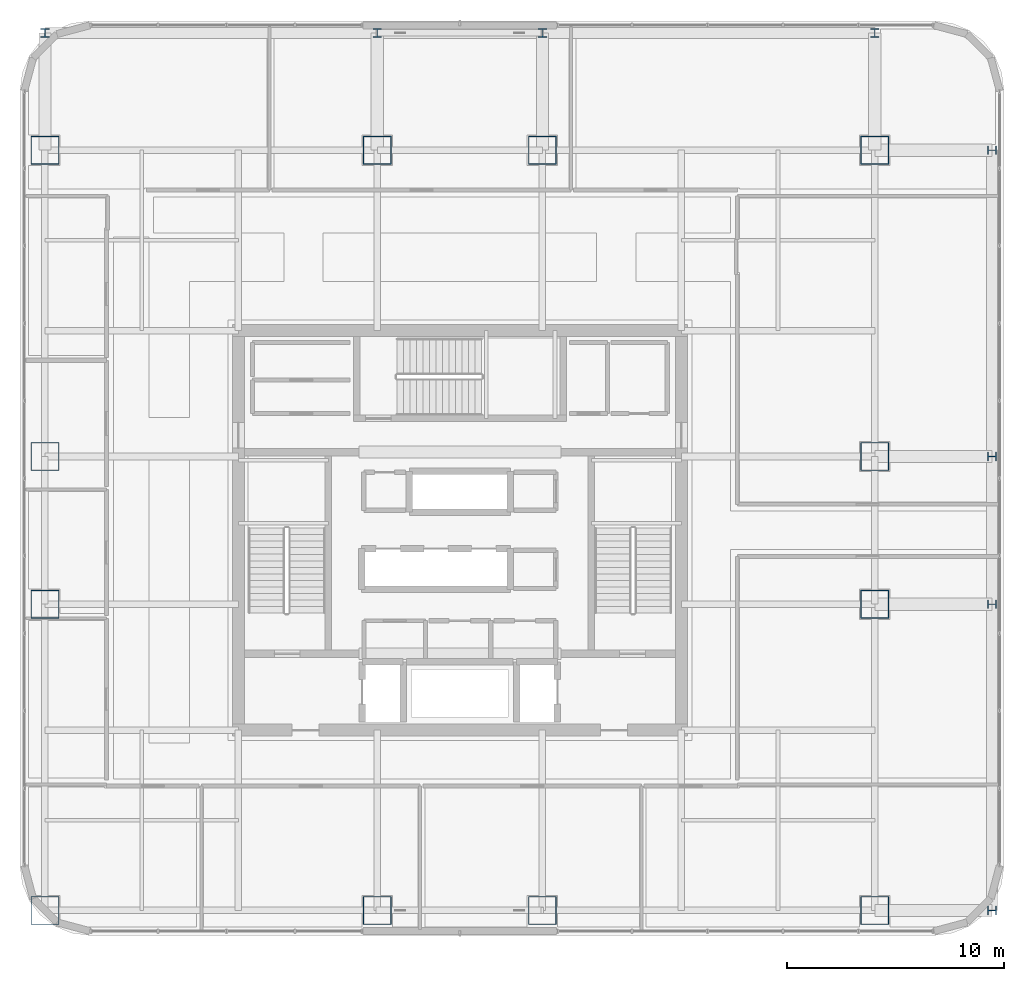
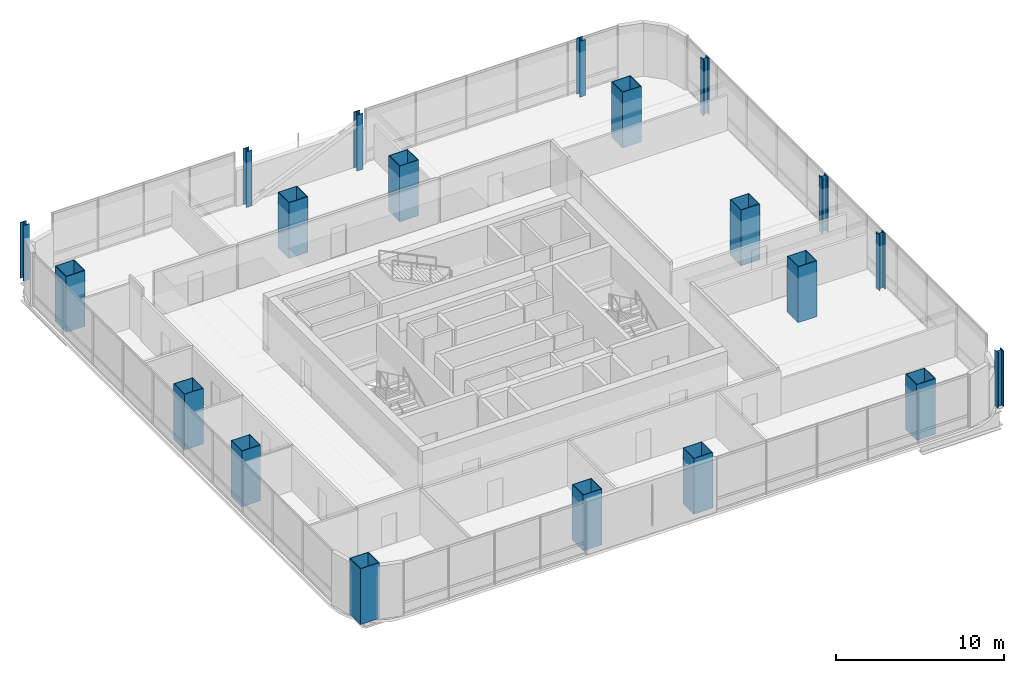
# One storey, part 1 of 44: 20 columns.
"""IFC4 building model written with IfcOpenShell, lengths in metres."""

from ifc_helpers import new_model, si_unit, direction, frame, origin, origin_2d, place, context, subcontext, project, spatial, hollow_rectangle, i_section, extrude, material, material_profile, profile_set, type_object, element, save


model = new_model("IFC4")

# Units and contexts
model_context = context("Model", 3, precision=1e-05, world=origin(), true_north=direction((0.0, 1.0)))
body_context = subcontext(model_context, "Body", "Model", "MODEL_VIEW")
ifc_project = project(units=[si_unit("LENGTHUNIT", "METRE"), si_unit("AREAUNIT", "SQUARE_METRE"), si_unit("VOLUMEUNIT", "CUBIC_METRE"), si_unit("PLANEANGLEUNIT", "RADIAN"), si_unit("MASSUNIT", "GRAM", prefix="KILO")], contexts=[model_context])

# Site, building, storey
site_placement = place(None, origin())
site = spatial("IfcSite", under=ifc_project, at=site_placement, CompositionType="ELEMENT")
building_placement = place(site_placement, origin())
building = spatial("IfcBuilding", under=site, at=building_placement, Name="Punatoya Terracotta Tower", CompositionType="ELEMENT")
storey_placement = place(building_placement, frame((0.0, 0.0, 267.60009765625)))
storey = spatial("IfcBuildingStorey", under=building, at=storey_placement, Name="L63", CompositionType="ELEMENT", Elevation=267.60009765625)

# Columns
ifc_material = material(Name="Steel S460", Category="steel")
ifc_material_profile_1 = material_profile(ifc_material, i_section(OverallWidth=0.406005859375, OverallDepth=0.416015625, WebThickness=0.029052734375, FlangeThickness=0.048095703125, FilletRadius=0.01806640625, at=origin_2d()))
ifc_profile_set_1 = profile_set([ifc_material_profile_1], Name="Steel S460")
column_type_1 = type_object("IfcColumnType", Name="COL-EX-M3", PredefinedType="COLUMN", material=ifc_profile_set_1)
for number, where, z_axis, x_axis, name in (
    (1, (-19.10009765625, 22.89990234375, 0.0), (0.0, 0.0, 1.0), (1.0, 0.0, 0.0), "L63 Exoskeleton Perimeter Column N1"),
    (2, (-3.800048828125, 22.89990234375, 0.0), (0.0, 0.0, 1.0), (1.0, 0.0, 0.0), "L63 Exoskeleton Perimeter Column N2"),
    (3, (3.800048828125, 22.89990234375, 0.0), (0.0, 0.0, 1.0), (1.0, 0.0, 0.0), "L63 Exoskeleton Perimeter Column N3"),
    (4, (19.10009765625, 22.89990234375, 0.0), (0.0, 0.0, 1.0), (1.0, 0.0, 0.0), "L63 Exoskeleton Perimeter Column N4"),
    (5, (24.5, -17.5, 0.0), (0.0, 0.0, 1.0), (0.0, 1.0, 0.0), "L63 Exoskeleton Perimeter Column E1"),
    (6, (24.5, -3.39990234375, 0.0), (0.0, 0.0, 1.0), (0.0, 1.0, 0.0), "L63 Exoskeleton Perimeter Column E2"),
    (7, (24.5, 3.39990234375, 0.0), (0.0, 0.0, 1.0), (0.0, 1.0, 0.0), "L63 Exoskeleton Perimeter Column E3"),
    (8, (24.5, 17.5, 0.0), (0.0, 0.0, 1.0), (0.0, 1.0, 0.0), "L63 Exoskeleton Perimeter Column E4"),
):
    element("IfcColumn", number, at=place(storey_placement, frame(where, z_axis=z_axis, x_axis=x_axis)), inside=storey, type_object=column_type_1, Name=name, PredefinedType="COLUMN", context=body_context, shape_type="SweptSolid", body=[
        extrude(i_section(OverallWidth=0.406005859375, OverallDepth=0.416015625, WebThickness=0.029052734375, FlangeThickness=0.048095703125, FilletRadius=0.01806640625, at=origin_2d()), origin(), (0.0, 0.0, 1.0), 4.0478515625),
    ])
ifc_material_profile_2 = material_profile(ifc_material, hollow_rectangle(XDim=1.300048828125, YDim=1.300048828125, WallThickness=0.0380859375, at=origin_2d()))
ifc_profile_set_2 = profile_set([ifc_material_profile_2], Name="Steel S460")
column_type_2 = type_object("IfcColumnType", Name="COL-MC-Z3", PredefinedType="COLUMN", material=ifc_profile_set_2)
for number, where, z_axis, x_axis, name in (
    (9, (-19.10009765625, -17.5, 0.0), (0.0, 0.0, 1.0), (1.0, 0.0, 0.0), "L63 Composite Mega-Column MC-01 (3-B)"),
    (10, (-3.800048828125, -17.5, 0.0), (0.0, 0.0, 1.0), (1.0, 0.0, 0.0), "L63 Composite Mega-Column MC-02 (5-B)"),
    (11, (3.800048828125, -17.5, 0.0), (0.0, 0.0, 1.0), (1.0, 0.0, 0.0), "L63 Composite Mega-Column MC-03 (7-B)"),
    (12, (19.10009765625, -17.5, 0.0), (0.0, 0.0, 1.0), (1.0, 0.0, 0.0), "L63 Composite Mega-Column MC-04 (9-B)"),
    (13, (19.10009765625, -3.39990234375, 0.0), (0.0, 0.0, 1.0), (1.0, 0.0, 0.0), "L63 Composite Mega-Column MC-05 (9-D)"),
    (14, (19.10009765625, 3.39990234375, 0.0), (0.0, 0.0, 1.0), (1.0, 0.0, 0.0), "L63 Composite Mega-Column MC-06 (9-E)"),
    (15, (19.10009765625, 17.5, 0.0), (0.0, 0.0, 1.0), (1.0, 0.0, 0.0), "L63 Composite Mega-Column MC-07 (9-G)"),
    (16, (3.800048828125, 17.5, 0.0), (0.0, 0.0, 1.0), (1.0, 0.0, 0.0), "L63 Composite Mega-Column MC-08 (7-G)"),
    (17, (-3.800048828125, 17.5, 0.0), (0.0, 0.0, 1.0), (1.0, 0.0, 0.0), "L63 Composite Mega-Column MC-09 (5-G)"),
    (18, (-19.10009765625, 17.5, 0.0), (0.0, 0.0, 1.0), (1.0, 0.0, 0.0), "L63 Composite Mega-Column MC-10 (3-G)"),
    (19, (-19.10009765625, 3.39990234375, 0.0), (0.0, 0.0, 1.0), (1.0, 0.0, 0.0), "L63 Composite Mega-Column MC-11 (3-E)"),
    (20, (-19.10009765625, -3.39990234375, 0.0), (0.0, 0.0, 1.0), (1.0, 0.0, 0.0), "L63 Composite Mega-Column MC-12 (3-D)"),
):
    element("IfcColumn", number, at=place(storey_placement, frame(where, z_axis=z_axis, x_axis=x_axis)), inside=storey, type_object=column_type_2, Name=name, PredefinedType="COLUMN", context=body_context, shape_type="SweptSolid", body=[
        extrude(hollow_rectangle(XDim=1.300048828125, YDim=1.300048828125, WallThickness=0.0380859375, at=origin_2d()), origin(), (0.0, 0.0, 1.0), 4.0498046875),
    ])

save(model, "model.ifc")
